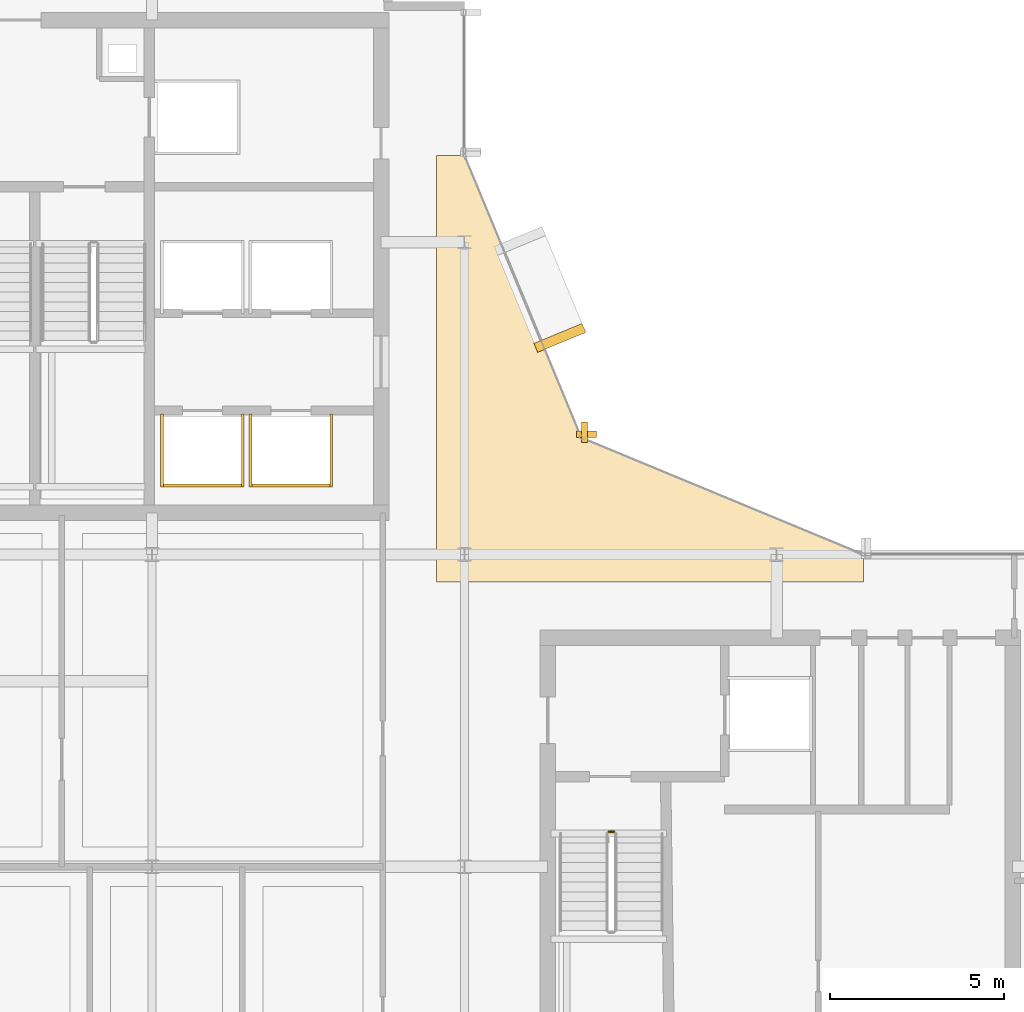
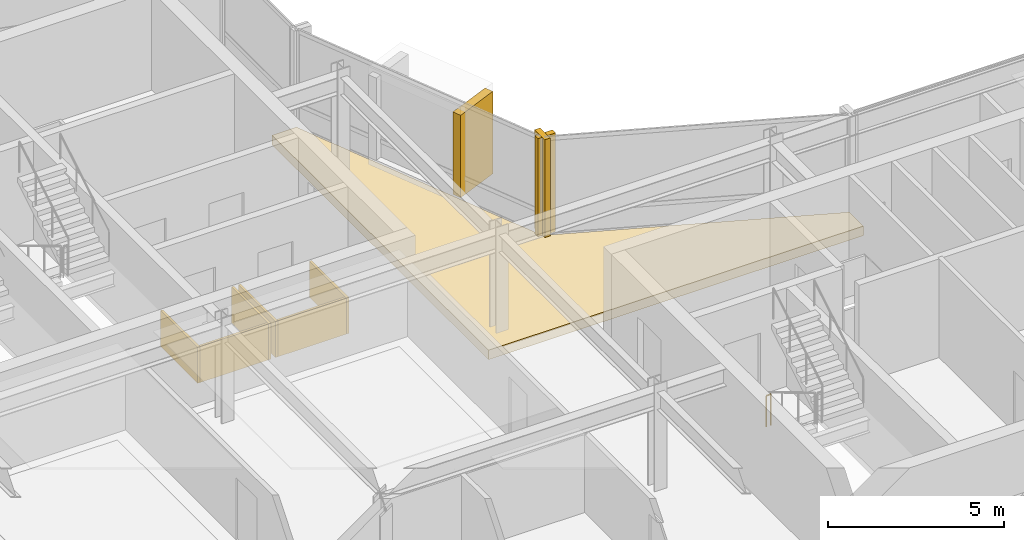
# One storey, part 25 of 27: 10 coverings, 1 railing.
"""IFC4 building model written with IfcOpenShell, lengths in metres."""

from ifc_helpers import new_model, si_unit, direction, frame, origin, origin_2d, place, context, subcontext, project, spatial, polyline, rectangle, circle, outline, extrude, material, layer, layer_set, type_object, element, save


model = new_model("IFC4")

# Units and contexts
model_context = context("Model", 3, precision=1e-05, world=origin(), true_north=direction((0.0, 1.0)))
body_context = subcontext(model_context, "Body", "Model", "MODEL_VIEW")
ifc_project = project(units=[si_unit("LENGTHUNIT", "METRE"), si_unit("AREAUNIT", "SQUARE_METRE"), si_unit("VOLUMEUNIT", "CUBIC_METRE"), si_unit("PLANEANGLEUNIT", "RADIAN"), si_unit("MASSUNIT", "GRAM", prefix="KILO")], contexts=[model_context])

# Site, building, storey
site_placement = place(None, origin())
site = spatial("IfcSite", under=ifc_project, at=site_placement, CompositionType="ELEMENT")
building_placement = place(site_placement, origin())
building = spatial("IfcBuilding", under=site, at=building_placement, Name="Solvaryn Broadcast Tower", CompositionType="ELEMENT")
storey_placement = place(building_placement, frame((0.0, 0.0, 224.699951171875)))
storey = spatial("IfcBuildingStorey", under=building, at=storey_placement, Name="L56", CompositionType="ELEMENT", Elevation=224.699951171875)

# Coverings
ifc_material_1 = material(Name="Fire-Rated Gypsum Shaftwall Liner", Category="concrete")
ifc_layer_1 = layer(ifc_material_1, 0.080078125)
ifc_layer_set_1 = layer_set([ifc_layer_1], Name="CV-SHAFT-LINER")
covering_type_1 = type_object("IfcCoveringType", Name="CV-SHAFT-LINER", PredefinedType="CLADDING", material=ifc_layer_set_1)
covering_1_placement = place(storey_placement, frame((19.449951171875, 28.985107421875, 0.0), z_axis=(0.0, 0.0, 1.0), x_axis=(1.0, 0.0, 0.0)))
element("IfcCovering", 1, at=covering_1_placement, inside=storey, type_object=covering_type_1, Name="L56 PH1 Hoistway Shaft Liner South", PredefinedType="CLADDING", context=body_context, shape_type="SweptSolid", body=[
    extrude(rectangle(XDim=2.409912109375, YDim=0.080078125, at=origin_2d()), origin(), (0.0, 0.0, 1.0), 1.25),
])
for number, where, z_axis, x_axis, name in (
    (2, (20.614990234375, 30.0, 0.0), (0.0, 0.0, 1.0), (1.0, 0.0, 0.0), "L56 PH1 Hoistway Shaft Liner East"),
    (3, (18.284912109375, 30.0, 0.0), (0.0, 0.0, 1.0), (1.0, 0.0, 0.0), "L56 PH1 Hoistway Shaft Liner West"),
):
    element("IfcCovering", number, at=place(storey_placement, frame(where, z_axis=z_axis, x_axis=x_axis)), inside=storey, type_object=covering_type_1, Name=name, PredefinedType="CLADDING", context=body_context, shape_type="SweptSolid", body=[
        extrude(rectangle(XDim=0.080078125, YDim=2.110107421875, at=origin_2d()), origin(), (0.0, 0.0, 1.0), 1.25),
    ])
covering_2_placement = place(storey_placement, frame((22.0, 28.985107421875, 0.0), z_axis=(0.0, 0.0, 1.0), x_axis=(1.0, 0.0, 0.0)))
element("IfcCovering", 4, at=covering_2_placement, inside=storey, type_object=covering_type_1, Name="L56 PH2 Hoistway Shaft Liner South", PredefinedType="CLADDING", context=body_context, shape_type="SweptSolid", body=[
    extrude(rectangle(XDim=2.409912109375, YDim=0.080078125, at=origin_2d()), origin(), (0.0, 0.0, 1.0), 1.25),
])
for number, where, z_axis, x_axis, name in (
    (5, (23.1650390625, 30.0, 0.0), (0.0, 0.0, 1.0), (1.0, 0.0, 0.0), "L56 PH2 Hoistway Shaft Liner East"),
    (6, (20.8349609375, 30.0, 0.0), (0.0, 0.0, 1.0), (1.0, 0.0, 0.0), "L56 PH2 Hoistway Shaft Liner West"),
):
    element("IfcCovering", number, at=place(storey_placement, frame(where, z_axis=z_axis, x_axis=x_axis)), inside=storey, type_object=covering_type_1, Name=name, PredefinedType="CLADDING", context=body_context, shape_type="SweptSolid", body=[
        extrude(rectangle(XDim=0.080078125, YDim=2.110107421875, at=origin_2d()), origin(), (0.0, 0.0, 1.0), 1.25),
    ])
ifc_material_2 = material(Name="Glazed Architectural Terracotta Rainscreen Cladding", Category="masonry")
ifc_layer_2 = layer(ifc_material_2, 0.280029296875)
ifc_layer_set_2 = layer_set([ifc_layer_2], Name="CV-TC-CLAD")
covering_type_2 = type_object("IfcCoveringType", Name="CV-TC-CLAD", PredefinedType="CLADDING", material=ifc_layer_set_2)
covering_3_placement = place(storey_placement, frame((29.751953125, 33.241943359375, 0.27978515625), z_axis=(0.0, 0.0, 1.0), x_axis=(-0.382683432365, 0.923879532511, 0.0)))
element("IfcCovering", 7, at=covering_3_placement, inside=storey, type_object=covering_type_2, Name="L56 Projecting Stone Window Box Cheek 5-1", PredefinedType="CLADDING", context=body_context, shape_type="SweptSolid", body=[
    extrude(rectangle(XDim=0.280029296875, YDim=1.5, at=origin_2d()), origin(), (0.0, 0.0, 1.0), 2.860107421875),
])
ifc_material_3 = material(Name="Extruded Architectural Terracotta Fin", Category="masonry")
ifc_layer_3 = layer(ifc_material_3, 0.179931640625)
ifc_layer_set_3 = layer_set([ifc_layer_3], Name="CV-TC-FIN")
covering_type_3 = type_object("IfcCoveringType", Name="CV-TC-FIN", PredefinedType="USERDEFINED", material=ifc_layer_set_3)
covering_4_placement = place(storey_placement, frame((30.464599609375, 30.52294921875, 0.0), z_axis=(0.0, 0.0, 1.0), x_axis=(1.0, 0.0, 0.0)))
element("IfcCovering", 8, at=covering_4_placement, inside=storey, type_object=covering_type_3, Name="L56 Terracotta Vertical Fin FIN-L56-CN1-M01", ObjectType="FIN", PredefinedType="USERDEFINED", context=body_context, shape_type="SweptSolid", body=[
    extrude(rectangle(XDim=0.179931640625, YDim=0.580078125, at=origin_2d()), origin(), (0.0, 0.0, 1.0), 3.419921875),
])
covering_5_placement = place(storey_placement, frame((30.52294921875, 30.464599609375, 0.0), z_axis=(0.0, 0.0, 1.0), x_axis=(1.0, 0.0, 0.0)))
element("IfcCovering", 9, at=covering_5_placement, inside=storey, type_object=covering_type_3, Name="L56 Terracotta Vertical Fin FIN-L56-CN2-M00", ObjectType="FIN", PredefinedType="USERDEFINED", context=body_context, shape_type="SweptSolid", body=[
    extrude(rectangle(XDim=0.580078125, YDim=0.179931640625, at=origin_2d()), origin(), (0.0, 0.0, 1.0), 3.419921875),
])
ifc_material_4 = material(Name="Sculpted Architectural Terracotta Wave Fascia", Category="masonry")
ifc_layer_4 = layer(ifc_material_4, 0.340087890625)
ifc_layer_set_4 = layer_set([ifc_layer_4], Name="CV-WAVE-TRAY")
covering_type_4 = type_object("IfcCoveringType", Name="CV-WAVE-TRAY", PredefinedType="CLADDING", material=ifc_layer_set_4)
covering_6_placement = place(storey_placement, frame((0.0, 0.0, -0.300048828125)))
element("IfcCovering", 10, at=covering_6_placement, inside=storey, type_object=covering_type_4, Name="L56 Concave Canyon Floor Apron", PredefinedType="CLADDING", context=body_context, shape_type="SweptSolid", body=[
    extrude(outline(polyline([(26.199951171875, 26.199951171875), (38.5, 26.199951171875), (38.5, 27.0), (30.367919921875, 30.367919921875), (27.0, 38.5), (26.199951171875, 38.5), (26.199951171875, 26.199951171875)])), origin(), (0.0, 0.0, 1.0), 0.330078125),
])

# Railing
ifc_material_5 = material(Name="Painted Steel Stair Well Guard", Category="steel")
railing_type = type_object("IfcRailingType", Name="RL-STAIR-GUARD", PredefinedType="BALUSTRADE", material=ifc_material_5)
railing_placement = place(storey_placement, frame((31.159912109375, 19.010009765625, 0.0)))
element("IfcRailing", 11, at=railing_placement, inside=storey, type_object=railing_type, Name="L56 ST3 stair guard 4", PredefinedType="BALUSTRADE", context=body_context, shape_type="SweptSolid", body=[
    extrude(circle(Radius=0.02392578125, at=origin_2d()), frame((0.0, 0.0, 1.076171875), z_axis=(1.0, 0.0, 0.0), x_axis=(0.0, 1.0, 0.0)), (0.0, 0.0, 1.0), 0.150146484375),
    extrude(circle(Radius=0.02099609375, at=origin_2d()), origin(), (0.0, 0.0, 1.0), 1.052001953125),
    extrude(circle(Radius=0.02099609375, at=origin_2d()), frame((0.150146484375, 0.0, 0.0)), (0.0, 0.0, 1.0), 1.052001953125),
])

save(model, "model.ifc")
